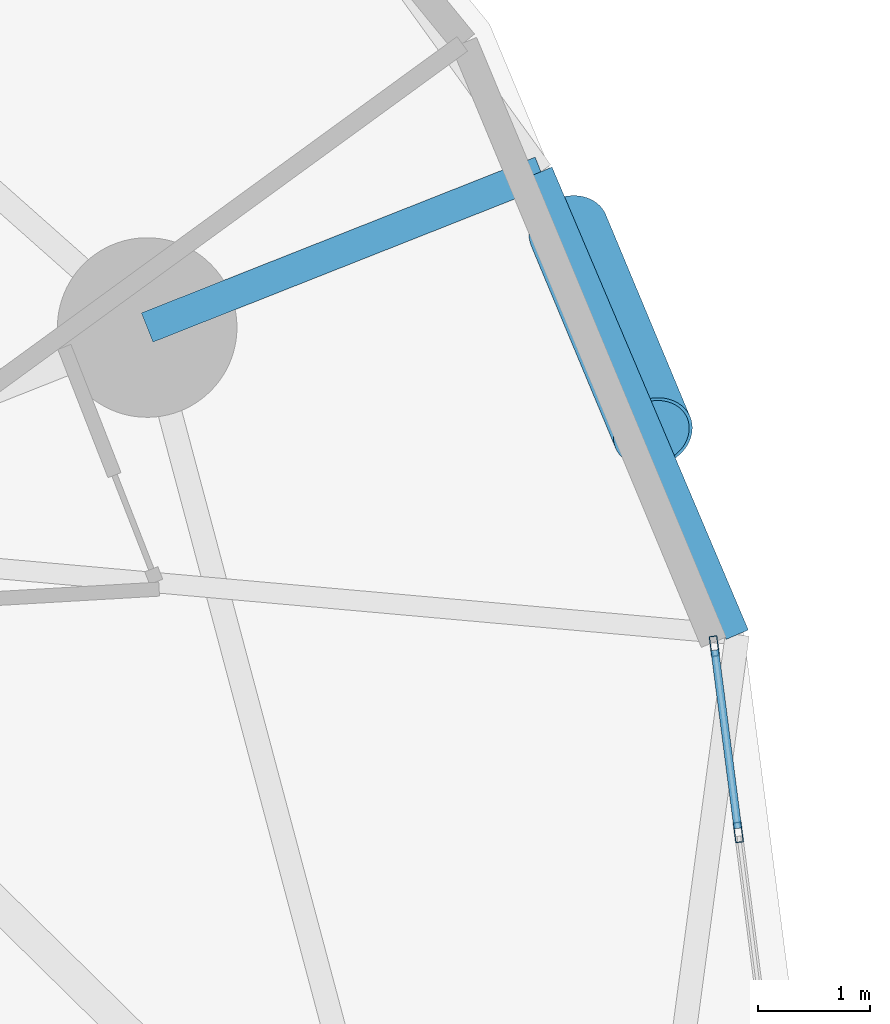
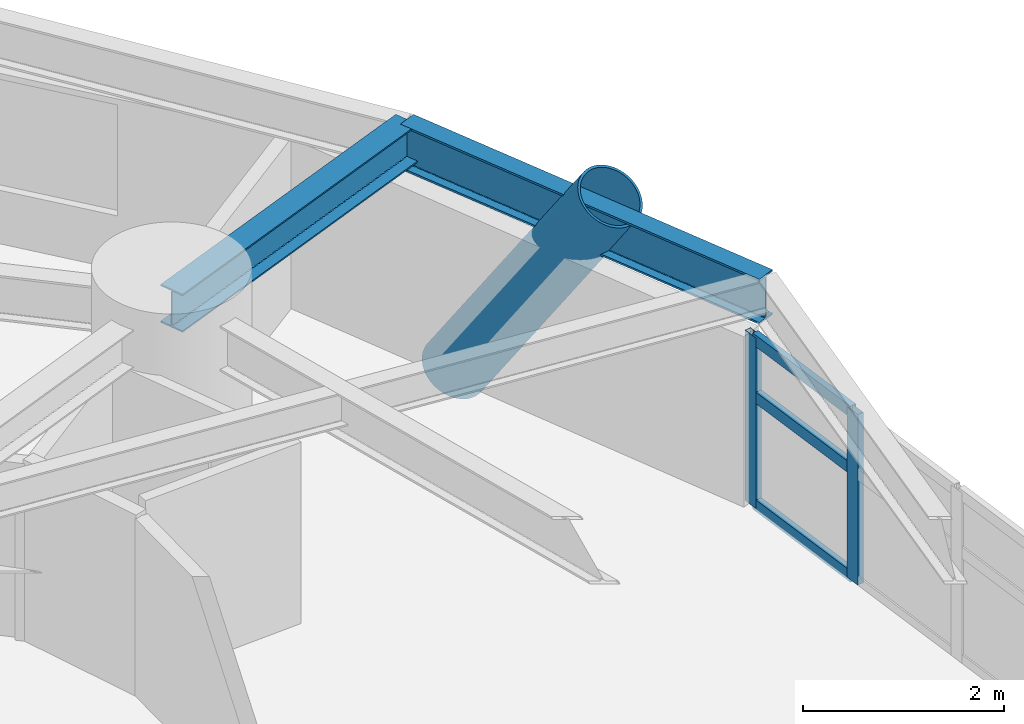
# One storey, part 4 of 18: 6 members, 2 beams, 1 element without a shape of its own.
"""IFC4 building model written with IfcOpenShell, lengths in metres."""

import ifcopenshell
import ifcopenshell.guid

model = None  # the IFC model being written
_history = None  # IfcOwnerHistory: only IFC2X3 demands one
_inside = {}  # id of a spatial element -> (the spatial element, [elements in it])
_under = {}  # id of a project, library or spatial element -> (it, [spatial elements below it])
_declared = {}  # id of a project -> (the project, [libraries it declares])
_typed = {}  # id of a type object -> (the type object, [elements of that type])
_made_of = {}  # id of a material, layer set ... -> (it, [elements and type objects made of it])


def new_model(schema):
    """Start an empty IFC model of exactly this schema.

    Asked for "IFC4X3", IfcOpenShell would pick the latest addendum, in which some entities
    have other attributes; the version numbers below select the first issue.
    IFC2X3 requires an IfcOwnerHistory on every rooted entity: one is made here for all.
    """
    global model, _history
    if schema == "IFC4X3":
        model = ifcopenshell.file(schema_version=(4, 3, 0, 0))
    else:
        model = ifcopenshell.file(schema=schema)
    _inside.clear()
    _under.clear()
    _declared.clear()
    _typed.clear()
    _made_of.clear()
    _history = None
    if model.schema == "IFC2X3":
        org = make("IfcOrganization", Name="unknown")
        user = make(
            "IfcPersonAndOrganization",
            ThePerson=make("IfcPerson", FamilyName="unknown"),
            TheOrganization=org,
        )
        app = make(
            "IfcApplication",
            ApplicationDeveloper=org,
            Version="unknown",
            ApplicationFullName="unknown",
            ApplicationIdentifier="unknown",
        )
        _history = make(
            "IfcOwnerHistory",
            OwningUser=user,
            OwningApplication=app,
            ChangeAction="ADDED",
            CreationDate=0,
        )
    return model


def make(cls, **values):
    """One entity of the class cls with the attributes given. An attribute that is None is left unset."""
    return model.create_entity(
        cls, **{name: value for name, value in values.items() if value is not None}
    )


def rooted(cls, **values):
    """An entity with a GlobalId (a new one), such as an element, a storey or a relation."""
    return make(cls, GlobalId=ifcopenshell.guid.new(), OwnerHistory=_history, **values)


def si_unit(unit_type, name, prefix=None):
    """IfcSIUnit, for example si_unit("LENGTHUNIT", "METRE", prefix="MILLI")."""
    return make("IfcSIUnit", UnitType=unit_type, Prefix=prefix, Name=name)


def assignment(units):
    """IfcUnitAssignment: the units of a project."""
    return None if units is None else make("IfcUnitAssignment", Units=units)


def point(xyz):
    """IfcCartesianPoint."""
    return None if xyz is None else make("IfcCartesianPoint", Coordinates=xyz)


def direction(xyz):
    """IfcDirection."""
    return None if xyz is None else make("IfcDirection", DirectionRatios=xyz)


def frame(location, z_axis=None, x_axis=None):
    """IfcAxis2Placement3D, a coordinate frame: its origin and axes. An axis left out is left unset."""
    return make(
        "IfcAxis2Placement3D",
        Location=point(location),
        Axis=direction(z_axis),
        RefDirection=direction(x_axis),
    )


def frame_2d(location, x_axis=None):
    """IfcAxis2Placement2D, a coordinate frame in the plane: its origin and x axis."""
    return make(
        "IfcAxis2Placement2D", Location=point(location), RefDirection=direction(x_axis)
    )


def origin():
    """The frame at (0, 0, 0) with its axes left unset."""
    return frame((0.0, 0.0, 0.0))


def origin_2d():
    """The frame at (0, 0) in the plane with its x axis left unset."""
    return frame_2d((0.0, 0.0))


def place(relative_to, where):
    """IfcLocalPlacement: puts the frame where relative to a parent placement (None: the world)."""
    return make(
        "IfcLocalPlacement", PlacementRelTo=relative_to, RelativePlacement=where
    )


def context(
    kind, dimensions, precision=None, world=None, true_north=None, identifier=None
):
    """IfcGeometricRepresentationContext, for example the 3D "Model" context."""
    return make(
        "IfcGeometricRepresentationContext",
        ContextIdentifier=identifier,
        ContextType=kind,
        CoordinateSpaceDimension=dimensions,
        Precision=precision,
        WorldCoordinateSystem=world,
        TrueNorth=true_north,
    )


def subcontext(parent, identifier, kind, view, scale=None):
    """IfcGeometricRepresentationSubContext, for example "Body" below "Model"."""
    return make(
        "IfcGeometricRepresentationSubContext",
        ContextIdentifier=identifier,
        ContextType=kind,
        ParentContext=parent,
        TargetScale=scale,
        TargetView=view,
    )


def project(units=None, contexts=None):
    """IfcProject with its units and contexts."""
    return rooted(
        "IfcProject",
        Name="project",
        RepresentationContexts=contexts,
        UnitsInContext=assignment(units),
    )


def spatial(cls, under=None, at=None, **own):
    """A site, building, storey or space (cls), placed at a placement, below another one or the project."""
    s = rooted(cls, ObjectPlacement=at, **own)
    if under is not None:
        _under.setdefault(under.id(), (under, []))[1].append(s)
    return s


def profile(cls, at=None, kind="AREA", **sizes):
    """A parametric profile (cls). Its sizes go by their IFC names, for example OverallWidth=200.0."""
    return make(cls, ProfileType=kind, Position=at, **sizes)


def hollow_rectangle(**sizes):
    """IfcRectangleHollowProfileDef."""
    return profile("IfcRectangleHollowProfileDef", **sizes)


def hollow_circle(**sizes):
    """IfcCircleHollowProfileDef."""
    return profile("IfcCircleHollowProfileDef", **sizes)


def i_section(**sizes):
    """IfcIShapeProfileDef."""
    return profile("IfcIShapeProfileDef", **sizes)


def extrude(swept, where, along, depth):
    """IfcExtrudedAreaSolid: the profile swept, set in the frame where, extruded along a direction by depth."""
    return make(
        "IfcExtrudedAreaSolid",
        SweptArea=swept,
        Position=where,
        ExtrudedDirection=direction(along),
        Depth=depth,
    )


def shape(context_of_items, identifier, shape_type, items):
    """IfcShapeRepresentation: the items that make up one representation, for example the "Body"."""
    return make(
        "IfcShapeRepresentation",
        ContextOfItems=context_of_items,
        RepresentationIdentifier=identifier,
        RepresentationType=shape_type,
        Items=items,
    )


def material(Name=None, Category=None):
    """IfcMaterial."""
    return make("IfcMaterial", Name=Name, Category=Category)


def layer(
    of_material, thickness, ventilated=None, Name=None, Category=None, Priority=None
):
    """IfcMaterialLayer: one layer of a wall or slab, of a material (None: an air gap)."""
    return make(
        "IfcMaterialLayer",
        Material=of_material,
        LayerThickness=thickness,
        IsVentilated=ventilated,
        Name=Name,
        Category=Category,
        Priority=Priority,
    )


def layer_set(layers, Name=None):
    """IfcMaterialLayerSet."""
    return make("IfcMaterialLayerSet", MaterialLayers=layers, LayerSetName=Name)


def material_profile(
    of_material, cross_section, Name=None, Category=None, Priority=None
):
    """IfcMaterialProfile: a cross section and its material."""
    return make(
        "IfcMaterialProfile",
        Name=Name,
        Material=of_material,
        Profile=cross_section,
        Priority=Priority,
        Category=Category,
    )


def profile_set(profiles, Name=None, composite=None):
    """IfcMaterialProfileSet."""
    return make(
        "IfcMaterialProfileSet",
        Name=Name,
        MaterialProfiles=profiles,
        CompositeProfile=composite,
    )


def made_of(thing, what):
    """Note that an element or type object is made of a material, layer set ...; save() writes the relation."""
    if what is not None:
        _made_of.setdefault(what.id(), (what, []))[1].append(thing)
    return thing


def type_object(cls, material=None, **own):
    """A type object (cls), such as IfcWallType, which elements share."""
    return made_of(rooted(cls, **own), material)


def element(
    cls,
    number,
    at=None,
    inside=None,
    cuts=None,
    type_object=None,
    material=None,
    context=None,
    identifier="Body",
    shape_type=None,
    held_by="IfcProductDefinitionShape",
    body=None,
    shapes=None,
    **own,
):
    """One element of the class cls, such as IfcWall. Its Tag is "e" and its number.

    at: its placement. inside: the storey or other place that contains it. cuts: it is an
    opening in that element (IfcRelVoidsElement). A single representation is given by context,
    identifier, shape_type and body (its items); several are given by shapes. held_by: the class
    of the entity that holds the representations. save() writes the other relations.
    """
    e = rooted(cls, Tag="e%d" % number, ObjectPlacement=at, **own)
    if body is not None:
        shapes = [shape(context, identifier, shape_type, body)]
    if shapes is not None:
        e.Representation = make(held_by, Representations=shapes)
    if inside is not None:
        _inside.setdefault(inside.id(), (inside, []))[1].append(e)
    if cuts is not None:
        rooted(
            "IfcRelVoidsElement", RelatingBuildingElement=cuts, RelatedOpeningElement=e
        )
    if type_object is not None:
        _typed.setdefault(type_object.id(), (type_object, []))[1].append(e)
    return made_of(e, material)


def aggregate(whole, parts):
    """IfcRelAggregates: a whole, such as a stair, and the parts it consists of."""
    return rooted("IfcRelAggregates", RelatingObject=whole, RelatedObjects=parts)


def save(model, path):
    """Write the relations noted so far, then the file.

    IfcRelAggregates (storeys below a building ...), IfcRelContainedInSpatialStructure (elements
    in a storey), IfcRelDefinesByType, IfcRelAssociatesMaterial and IfcRelDeclares: one each for
    every whole, place, type object, material and project.
    """
    for whole, parts in _under.values():
        aggregate(whole, parts)
    for where, things in _inside.values():
        rooted(
            "IfcRelContainedInSpatialStructure",
            RelatedElements=things,
            RelatingStructure=where,
        )
    for kind, things in _typed.values():
        rooted("IfcRelDefinesByType", RelatedObjects=things, RelatingType=kind)
    for what, things in _made_of.values():
        rooted("IfcRelAssociatesMaterial", RelatedObjects=things, RelatingMaterial=what)
    for by, libraries in _declared.values():
        rooted("IfcRelDeclares", RelatingContext=by, RelatedDefinitions=libraries)
    model.write(path)


model = new_model("IFC4")

# Units and contexts
model_context = context("Model", 3, precision=1e-05, world=origin(), true_north=direction((0.0, 1.0)))
body_context = subcontext(model_context, "Body", "Model", "MODEL_VIEW")
ifc_project = project(units=[si_unit("LENGTHUNIT", "METRE"), si_unit("AREAUNIT", "SQUARE_METRE"), si_unit("VOLUMEUNIT", "CUBIC_METRE"), si_unit("PLANEANGLEUNIT", "RADIAN"), si_unit("MASSUNIT", "GRAM", prefix="KILO")], contexts=[model_context])

# Site, building, storey
site_placement = place(None, origin())
site = spatial("IfcSite", under=ifc_project, at=site_placement, CompositionType="ELEMENT")
building_placement = place(site_placement, origin())
building = spatial("IfcBuilding", under=site, at=building_placement, Name="Cununo Teusaquillo Station Towers", CompositionType="ELEMENT")
storey_placement = place(building_placement, frame((0.0, 0.0, 51.10009765625)))
storey = spatial("IfcBuildingStorey", under=building, at=storey_placement, Name="L15", CompositionType="ELEMENT", Elevation=51.10009765625)

# Beams
ifc_material_1 = material(Name="Steel ASTM A572 Grade 50", Category="steel")
ifc_material_profile_1 = material_profile(ifc_material_1, i_section(OverallWidth=0.280029296875, OverallDepth=0.462890625, WebThickness=0.0107421875, FlangeThickness=0.017333984375, FilletRadius=0.013916015625, at=origin_2d()), Name="W18X76")
ifc_profile_set_1 = profile_set([ifc_material_profile_1], Name="Steel ASTM A572 Grade 50")
beam_type_1 = type_object("IfcBeamType", Name="BM-RAD-G1", PredefinedType="BEAM", material=ifc_profile_set_1)
beam_1_placement = place(storey_placement, frame((26.347412109375, 33.228515625, 2.41845703125), z_axis=(0.929871177563, 0.367885298888, 0.0), x_axis=(-0.367885298888, 0.929871177563, 0.0)))
element("IfcBeam", 1, at=beam_1_placement, inside=storey, type_object=beam_type_1, Name="L15 Tower A Perimeter Overhang Girder 02B", PredefinedType="BEAM", context=body_context, shape_type="SweptSolid", body=[
    extrude(i_section(OverallWidth=0.280029296875, OverallDepth=0.462890625, WebThickness=0.0107421875, FlangeThickness=0.017333984375, FilletRadius=0.013916015625, at=origin_2d()), origin(), (0.0, 0.0, 1.0), 3.7734375),
])
ifc_material_2 = material(Name="Steel ASTM A572 Grade 50", Category="steel")
ifc_material_profile_2 = material_profile(ifc_material_2, i_section(OverallWidth=0.214111328125, OverallDepth=0.549072265625, WebThickness=0.0146484375, FlangeThickness=0.023681640625, FilletRadius=0.014892578125, at=origin_2d()), Name="W21X93")
ifc_profile_set_2 = profile_set([ifc_material_profile_2], Name="Steel ASTM A572 Grade 50")
beam_type_2 = type_object("IfcBeamType", Name="BM-RING-Z1", PredefinedType="SPANDREL", material=ifc_profile_set_2)
beam_2_placement = place(storey_placement, frame((31.605712890625, 30.49169921875, 2.37548828125), z_axis=(-0.390457491743, 0.920620957366, 0.0), x_axis=(-0.920620957366, -0.390457491743, 0.0)))
element("IfcBeam", 2, at=beam_2_placement, inside=storey, type_object=beam_type_2, Name="L15 Tower A Spandrel Ring Beam 02", PredefinedType="SPANDREL", context=body_context, shape_type="SweptSolid", body=[
    extrude(i_section(OverallWidth=0.214111328125, OverallDepth=0.549072265625, WebThickness=0.0146484375, FlangeThickness=0.023681640625, FilletRadius=0.014892578125, at=origin_2d()), origin(), (0.0, 0.0, 1.0), 4.480712890625),
])

# Curtain wall, members
ifc_material_3 = material(Name="Operable acoustic tinted low-E double glazing", Category="glass")
ifc_layer = layer(ifc_material_3, 0.179931640625)
ifc_layer_set = layer_set([ifc_layer], Name="Operable acoustic tinted low-E double glazing")
curtain_wall_type = type_object("IfcCurtainWallType", Name="CW-SYS-03", PredefinedType="USERDEFINED", material=ifc_layer_set)
curtain_wall_placement = place(storey_placement, origin())
curtain_wall = element("IfcCurtainWall", 3, at=curtain_wall_placement, inside=storey, type_object=curtain_wall_type, Name="L15 Tower A Facade Curtain Wall C00", ObjectType="OPERABLE GLAZING", PredefinedType="USERDEFINED")
ifc_material_4 = material(Name="Anodised dark bronze aluminium EN AW-6063-T6", Category="aluminium")
ifc_material_profile_3 = material_profile(ifc_material_4, hollow_rectangle(XDim=0.070068359375, YDim=0.179931640625, WallThickness=0.00390625, at=origin_2d()), Name="CW-MULL-70x180")
ifc_profile_set_3 = profile_set([ifc_material_profile_3], Name="Anodised dark bronze aluminium EN AW-6063-T6")
member_type_1 = type_object("IfcMemberType", Name="CWM-180", PredefinedType="MULLION", material=ifc_profile_set_3)
member_1_placement = place(storey_placement, frame((31.40087890625, 30.38916015625, 0.0), z_axis=(0.0, 0.0, 1.0), x_axis=(0.99173073067, 0.128336112783, 0.0)))
member_1 = element("IfcMember", 4, at=member_1_placement, type_object=member_type_1, Name="CW-03 mullion 1", PredefinedType="MULLION", context=body_context, shape_type="SweptSolid", body=[
    extrude(hollow_rectangle(XDim=0.070068359375, YDim=0.179931640625, WallThickness=0.00390625, at=origin_2d()), origin(), (0.0, 0.0, 1.0), 2.072998046875),
])
member_2_placement = place(storey_placement, frame((31.615478515625, 28.730224609375, 0.0), z_axis=(0.0, 0.0, 1.0), x_axis=(0.99173073067, 0.128336112783, 0.0)))
member_2 = element("IfcMember", 5, at=member_2_placement, type_object=member_type_1, Name="CW-03 mullion 2", PredefinedType="MULLION", context=body_context, shape_type="SweptSolid", body=[
    extrude(hollow_rectangle(XDim=0.070068359375, YDim=0.179931640625, WallThickness=0.00390625, at=origin_2d()), origin(), (0.0, 0.0, 1.0), 2.072998046875),
])
ifc_material_5 = material(Name="Anodised dark bronze aluminium EN AW-6063-T6", Category="aluminium")
ifc_material_profile_4 = material_profile(ifc_material_5, hollow_rectangle(XDim=0.070068359375, YDim=0.139892578125, WallThickness=0.00390625, at=origin_2d()), Name="CW-TRAN-70x140")
ifc_profile_set_4 = profile_set([ifc_material_profile_4], Name="Anodised dark bronze aluminium EN AW-6063-T6")
member_type_2 = type_object("IfcMemberType", Name="CWT-140", PredefinedType="USERDEFINED", material=ifc_profile_set_4)
member_3_placement = place(storey_placement, frame((31.4052734375, 30.3544921875, 0.034912109375), z_axis=(0.128401455372, -0.991722272745, 0.0), x_axis=(0.991722272745, 0.128401455372, 0.0)))
member_3 = element("IfcMember", 6, at=member_3_placement, type_object=member_type_2, Name="CW-03 transom 1.1", ObjectType="TRANSOM", PredefinedType="USERDEFINED", context=body_context, shape_type="SweptSolid", body=[
    extrude(hollow_rectangle(XDim=0.070068359375, YDim=0.139892578125, WallThickness=0.00390625, at=origin_2d()), origin(), (0.0, 0.0, 1.0), 1.602783203125),
])
member_4_placement = place(storey_placement, frame((31.4052734375, 30.3544921875, 1.346923828125), z_axis=(0.128401455372, -0.991722272745, 0.0), x_axis=(0.991722272745, 0.128401455372, 0.0)))
member_4 = element("IfcMember", 7, at=member_4_placement, type_object=member_type_2, Name="CW-03 transom 1.2", ObjectType="TRANSOM", PredefinedType="USERDEFINED", context=body_context, shape_type="SweptSolid", body=[
    extrude(hollow_rectangle(XDim=0.070068359375, YDim=0.139892578125, WallThickness=0.00390625, at=origin_2d()), origin(), (0.0, 0.0, 1.0), 1.602783203125),
])
member_5_placement = place(storey_placement, frame((31.4052734375, 30.3544921875, 2.037841796875), z_axis=(0.128401455372, -0.991722272745, 0.0), x_axis=(0.991722272745, 0.128401455372, 0.0)))
member_5 = element("IfcMember", 8, at=member_5_placement, type_object=member_type_2, Name="CW-03 transom 1.3", ObjectType="TRANSOM", PredefinedType="USERDEFINED", context=body_context, shape_type="SweptSolid", body=[
    extrude(hollow_rectangle(XDim=0.070068359375, YDim=0.139892578125, WallThickness=0.00390625, at=origin_2d()), origin(), (0.0, 0.0, 1.0), 1.602783203125),
])
aggregate(curtain_wall, [member_1, member_2, member_3, member_4, member_5])

# Member
ifc_material_6 = material(Name="Steel EN 10025-2 S355J2", Category="steel")
ifc_material_profile_5 = material_profile(ifc_material_6, hollow_circle(Radius=0.360107421875, WallThickness=0.028076171875, at=origin_2d()), Name="CHS 720x28")
ifc_profile_set_5 = profile_set([ifc_material_profile_5], Name="Steel EN 10025-2 S355J2")
member_type_3 = type_object("IfcMemberType", Name="MBR-DIAG-Z1", PredefinedType="BRACE", material=ifc_profile_set_5)
member_6_placement = place(storey_placement, frame((30.1015625, 34.095458984375, -0.14013671875), z_axis=(0.214574395083, -0.514142544064, 0.830430775777), x_axis=(0.92285479051, 0.385148069752, 0.0)))
element("IfcMember", 9, at=member_6_placement, inside=storey, type_object=member_type_3, Name="L15 Tower A Folded-Zigzag Diagrid Tube C01", PredefinedType="BRACE", context=body_context, shape_type="SweptSolid", body=[
    extrude(hollow_circle(Radius=0.360107421875, WallThickness=0.028076171875, at=origin_2d()), origin(), (0.0, 0.0, 1.0), 3.50439453125),
])

save(model, "model.ifc")
